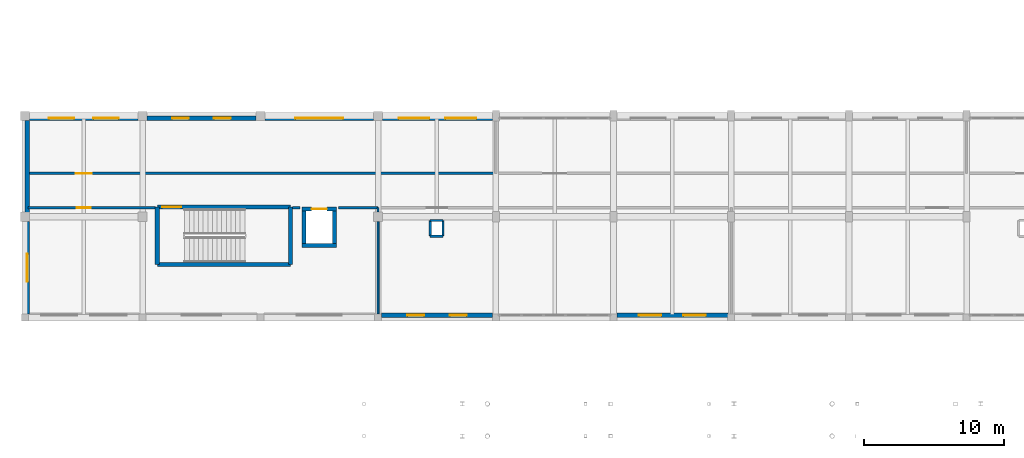
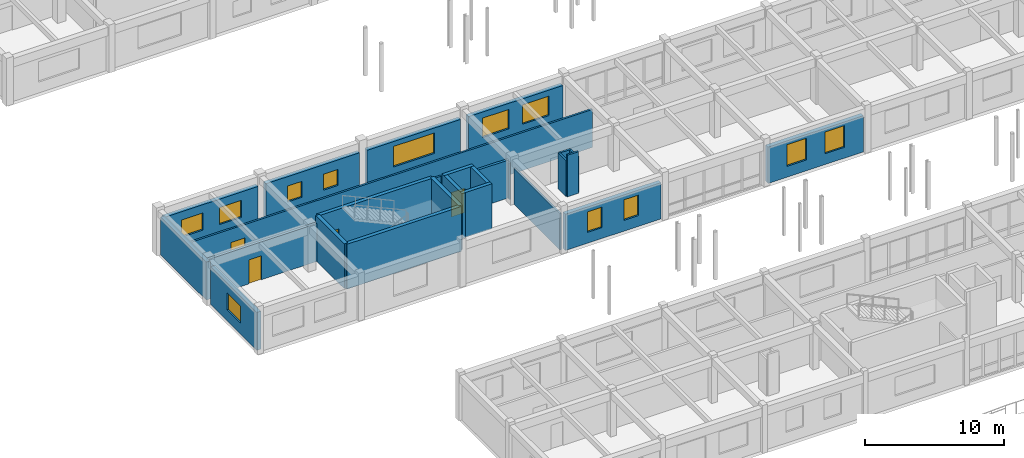
# One storey, part 72 of 90: 26 walls, 12 windows, 4 doors, 16 openings.
"""IFC4 building model written with IfcOpenShell, lengths in metres."""

from ifc_helpers import new_model, si_unit, direction, frame, frame_2d, origin, place, context, subcontext, project, spatial, rectangle, extrude, material, layer, layer_set, type_object, element, fill, save


model = new_model("IFC4")

# Units and contexts
model_context = context("Model", 3, precision=1e-05, world=origin(), true_north=direction((0.0, 1.0)))
body_context = subcontext(model_context, "Body", "Model", "MODEL_VIEW")
ifc_project = project(units=[si_unit("LENGTHUNIT", "METRE"), si_unit("AREAUNIT", "SQUARE_METRE"), si_unit("VOLUMEUNIT", "CUBIC_METRE"), si_unit("PLANEANGLEUNIT", "RADIAN"), si_unit("MASSUNIT", "GRAM", prefix="KILO")], contexts=[model_context])

# Site, building, storey
site_placement = place(None, origin())
site = spatial("IfcSite", under=ifc_project, at=site_placement, CompositionType="ELEMENT")
building_placement = place(site_placement, origin())
building = spatial("IfcBuilding", under=site, at=building_placement, Name="Malvenik Polytechnic", CompositionType="ELEMENT")
storey_placement = place(building_placement, frame((0.0, 0.0, 9.300048828125)))
storey = spatial("IfcBuildingStorey", under=building, at=storey_placement, Name="L02", CompositionType="ELEMENT", Elevation=9.300048828125)

# Wall
ifc_material_1 = material(Name="Concrete C35/45", Category="concrete")
ifc_layer_1 = layer(ifc_material_1, 0.280029296875)
ifc_layer_set_1 = layer_set([ifc_layer_1], Name="Concrete C35/45")
wall_type_1 = type_object("IfcWallType", Name="ARC-CW-S280", PredefinedType="SHEAR", material=ifc_layer_set_1)
wall_1_placement = place(storey_placement, frame((22.239990234375, 84.35009765625, 0.0), z_axis=(0.0, 0.0, 1.0), x_axis=(-1.0, 0.0, 0.0)))
element("IfcWall", 1, at=wall_1_placement, inside=storey, type_object=wall_type_1, Name="Lift Shaft Shear Wall LP-01 L02 -Y", PredefinedType="SHEAR", context=body_context, shape_type="SweptSolid", body=[
    extrude(rectangle(XDim=2.47998046875, YDim=0.280029296875, at=frame_2d((1.239990234375, 0.0))), origin(), (0.0, 0.0, 1.0), 3.93994140625),
])

# Wall, opening, door
wall_2_placement = place(storey_placement, frame((19.760009765625, 86.949951171875, 0.0), z_axis=(0.0, 0.0, 1.0), x_axis=(1.0, 0.0, 0.0)))
wall_2 = element("IfcWall", 2, at=wall_2_placement, inside=storey, type_object=wall_type_1, Name="Lift Shaft Shear Wall LP-01 L02 +Y", PredefinedType="SHEAR", context=body_context, shape_type="SweptSolid", body=[
    extrude(rectangle(XDim=2.47998046875, YDim=0.280029296875, at=frame_2d((1.239990234375, 0.0))), origin(), (0.0, 0.0, 1.0), 3.93994140625),
])
opening_1_placement = place(wall_2_placement, frame((0.68994140625, 0.0, 0.0)))
opening_1 = element("IfcOpeningElement", 3, at=opening_1_placement, cuts=wall_2, Name="Opening LD-01", PredefinedType="OPENING", context=body_context, shape_type="SweptSolid", body=[
    extrude(rectangle(XDim=1.10009765625, YDim=2.14990234375, at=frame_2d((0.550048828125, 1.074951171875))), frame((0.0, 0.14990234375, 0.0), z_axis=(0.0, -1.0, 0.0), x_axis=(1.0, 0.0, 0.0)), (0.0, 0.0, 1.0), 0.300048828125),
])
ifc_material_2 = material(Name="Stainless steel fire-rated sliding lift landing door", Category="steel")
door_type_1 = type_object("IfcDoorType", Name="ARC-LDR-LD-01", OperationType="NOTDEFINED", PredefinedType="DOOR", material=ifc_material_2)
door_1_placement = place(opening_1_placement, origin())
door_1 = element("IfcDoor", 4, at=door_1_placement, inside=storey, type_object=door_type_1, Name="Lift Sliding Landing Door LP-01 L02", OperationType="DOUBLE_DOOR_SLIDING", OverallHeight=2.14990234375, OverallWidth=1.10009765625, PredefinedType="DOOR", context=body_context, shape_type="SweptSolid", body=[
    extrude(rectangle(XDim=1.10009765625, YDim=2.14990234375, at=frame_2d((0.550048828125, 1.074951171875))), frame((0.0, 0.02490234375, 0.0), z_axis=(0.0, -1.0, 0.0), x_axis=(1.0, 0.0, 0.0)), (0.0, 0.0, 1.0), 0.050048828125),
])
fill(opening_1, door_1)

# Walls
for number, where, z_axis, x_axis, name in (
    (5, (19.89990234375, 84.2099609375, 0.0), (0.0, 0.0, 1.0), (0.0, 1.0, 0.0), "Lift Shaft Shear Wall LP-01 L02 -X"),
    (6, (22.10009765625, 87.090087890625, 0.0), (0.0, 0.0, 1.0), (0.0, -1.0, 0.0), "Lift Shaft Shear Wall LP-01 L02 +X"),
):
    element("IfcWall", number, at=place(storey_placement, frame(where, z_axis=z_axis, x_axis=x_axis)), inside=storey, type_object=wall_type_1, Name=name, PredefinedType="SHEAR", context=body_context, shape_type="SweptSolid", body=[
        extrude(rectangle(XDim=2.880126953125, YDim=0.280029296875, at=frame_2d((1.43994140625, 0.0))), origin(), (0.0, 0.0, 1.0), 3.93994140625),
    ])
ifc_layer_2 = layer(ifc_material_1, 0.300048828125)
ifc_layer_set_2 = layer_set([ifc_layer_2], Name="Concrete C35/45")
wall_type_2 = type_object("IfcWallType", Name="ARC-CW-S300", PredefinedType="SHEAR", material=ifc_layer_set_2)
wall_3_placement = place(storey_placement, frame((9.449951171875, 83.0, 0.0), z_axis=(0.0, 0.0, 1.0), x_axis=(0.0, 1.0, 0.0)))
element("IfcWall", 7, at=wall_3_placement, inside=storey, type_object=wall_type_2, Name="Stair Core Shear Wall ST-04 L02 NEAR", PredefinedType="SHEAR", context=body_context, shape_type="SweptSolid", body=[
    extrude(rectangle(XDim=4.10009765625, YDim=0.300048828125, at=frame_2d((2.050048828125, 0.0))), origin(), (0.0, 0.0, 1.0), 3.93994140625),
])

# Wall, opening, door
wall_4_placement = place(storey_placement, frame((9.449951171875, 87.10009765625, 0.0), z_axis=(0.0, 0.0, 1.0), x_axis=(1.0, 0.0, 0.0)))
wall_4 = element("IfcWall", 8, at=wall_4_placement, inside=storey, type_object=wall_type_2, Name="Stair Core Shear Wall ST-04 L02 RGHT", PredefinedType="SHEAR", context=body_context, shape_type="SweptSolid", body=[
    extrude(rectangle(XDim=9.5, YDim=0.300048828125, at=frame_2d((4.75, 0.0))), origin(), (0.0, 0.0, 1.0), 3.93994140625),
])
opening_2_placement = place(wall_4_placement, frame((0.35009765625, 0.0, 0.0)))
opening_2 = element("IfcOpeningElement", 9, at=opening_2_placement, cuts=wall_4, Name="Opening SD-01", PredefinedType="OPENING", context=body_context, shape_type="SweptSolid", body=[
    extrude(rectangle(XDim=1.35009765625, YDim=2.199951171875, at=frame_2d((0.675048828125, 1.10009765625))), frame((0.0, 0.16015625, 0.0), z_axis=(0.0, -1.0, 0.0), x_axis=(1.0, 0.0, 0.0)), (0.0, 0.0, 1.0), 0.320068359375),
])
ifc_material_3 = material(Name="Fire-rated steel stair enclosure door", Category="steel")
door_type_2 = type_object("IfcDoorType", Name="ARC-IDR-SD-01", OperationType="NOTDEFINED", PredefinedType="DOOR", material=ifc_material_3)
door_2_placement = place(opening_2_placement, origin())
door_2 = element("IfcDoor", 10, at=door_2_placement, inside=storey, type_object=door_type_2, Name="Fire Stair Door ST-04 L02", OperationType="SINGLE_SWING_LEFT", OverallHeight=2.199951171875, OverallWidth=1.35009765625, PredefinedType="DOOR", context=body_context, shape_type="SweptSolid", body=[
    extrude(rectangle(XDim=1.35009765625, YDim=2.199951171875, at=frame_2d((0.675048828125, 1.10009765625))), frame((0.0, 0.02490234375, 0.0), z_axis=(0.0, -1.0, 0.0), x_axis=(1.0, 0.0, 0.0)), (0.0, 0.0, 1.0), 0.050048828125),
])
fill(opening_2, door_2)

# Walls
wall_5_placement = place(storey_placement, frame((18.949951171875, 87.10009765625, 0.0), z_axis=(0.0, 0.0, 1.0), x_axis=(0.0, -1.0, 0.0)))
element("IfcWall", 11, at=wall_5_placement, inside=storey, type_object=wall_type_2, Name="Stair Core Shear Wall ST-04 L02 FAR", PredefinedType="SHEAR", context=body_context, shape_type="SweptSolid", body=[
    extrude(rectangle(XDim=4.10009765625, YDim=0.300048828125, at=frame_2d((2.050048828125, 0.0))), origin(), (0.0, 0.0, 1.0), 3.93994140625),
])
wall_6_placement = place(storey_placement, frame((18.949951171875, 83.0, 0.0), z_axis=(0.0, 0.0, 1.0), x_axis=(-1.0, 0.0, 0.0)))
element("IfcWall", 12, at=wall_6_placement, inside=storey, type_object=wall_type_2, Name="Stair Core Shear Wall ST-04 L02 LEFT", PredefinedType="SHEAR", context=body_context, shape_type="SweptSolid", body=[
    extrude(rectangle(XDim=9.5, YDim=0.300048828125, at=frame_2d((4.75, 0.0))), origin(), (0.0, 0.0, 1.0), 3.93994140625),
])

# Wall, openings, windows
ifc_material_4 = material(Name="Concrete C30/37", Category="concrete")
ifc_layer_3 = layer(ifc_material_4, 0.340087890625)
ifc_layer_set_3 = layer_set([ifc_layer_3], Name="Concrete C30/37")
wall_type_3 = type_object("IfcWallType", Name="ARC-EW-340", PredefinedType="SOLIDWALL", material=ifc_layer_set_3)
wall_7_placement = place(storey_placement, frame((50.152099609375, 79.3701171875, 0.0), z_axis=(0.0, 0.0, 1.0), x_axis=(-1.0, 0.0, 0.0)))
wall_7 = element("IfcWall", 13, at=wall_7_placement, inside=storey, type_object=wall_type_3, Name="External Facade Wall EW-02 L02 #303", PredefinedType="SOLIDWALL", context=body_context, shape_type="SweptSolid", body=[
    extrude(rectangle(XDim=7.904052734375, YDim=0.340087890625, at=frame_2d((3.9521484375, 0.0))), origin(), (0.0, 0.0, 1.0), 3.179931640625),
])
opening_3_placement = place(wall_7_placement, frame((1.568115234375, 0.0, 0.949951171875)))
opening_3 = element("IfcOpeningElement", 14, at=opening_3_placement, cuts=wall_7, Name="Opening W-05", PredefinedType="OPENING", context=body_context, shape_type="SweptSolid", body=[
    extrude(rectangle(XDim=1.60009765625, YDim=1.89990234375, at=frame_2d((0.800048828125, 0.949951171875))), frame((0.0, 0.18017578125, 0.0), z_axis=(0.0, -1.0, 0.0), x_axis=(1.0, 0.0, 0.0)), (0.0, 0.0, 1.0), 0.360107421875),
])
opening_4_placement = place(wall_7_placement, frame((4.736083984375, 0.0, 0.949951171875)))
opening_4 = element("IfcOpeningElement", 15, at=opening_4_placement, cuts=wall_7, Name="Opening W-05", PredefinedType="OPENING", context=body_context, shape_type="SweptSolid", body=[
    extrude(rectangle(XDim=1.60009765625, YDim=1.89990234375, at=frame_2d((0.800048828125, 0.949951171875))), frame((0.0, 0.18017578125, 0.0), z_axis=(0.0, -1.0, 0.0), x_axis=(1.0, 0.0, 0.0)), (0.0, 0.0, 1.0), 0.360107421875),
])
ifc_material_5 = material(Name="Thermally broken aluminium frame with low-E double glazing", Category="aluminium")
window_type_1 = type_object("IfcWindowType", Name="ARC-WIN-W-05", PartitioningType="SINGLE_PANEL", PredefinedType="WINDOW", material=ifc_material_5)
window_1_placement = place(opening_3_placement, origin())
window_1 = element("IfcWindow", 16, at=window_1_placement, inside=storey, type_object=window_type_1, Name="Punched Window W-05 L02 #277", OverallHeight=1.89990234375, OverallWidth=1.60009765625, PartitioningType="SINGLE_PANEL", PredefinedType="WINDOW", context=body_context, shape_type="SweptSolid", body=[
    extrude(rectangle(XDim=1.60009765625, YDim=1.89990234375, at=frame_2d((0.800048828125, 0.949951171875))), frame((0.0, 0.030029296875, 0.0), z_axis=(0.0, -1.0, 0.0), x_axis=(1.0, 0.0, 0.0)), (0.0, 0.0, 1.0), 0.06005859375),
])
fill(opening_3, window_1)
window_2_placement = place(opening_4_placement, origin())
window_2 = element("IfcWindow", 17, at=window_2_placement, inside=storey, type_object=window_type_1, Name="Punched Window W-05 L02 #278", OverallHeight=1.89990234375, OverallWidth=1.60009765625, PartitioningType="SINGLE_PANEL", PredefinedType="WINDOW", context=body_context, shape_type="SweptSolid", body=[
    extrude(rectangle(XDim=1.60009765625, YDim=1.89990234375, at=frame_2d((0.800048828125, 0.949951171875))), frame((0.0, 0.030029296875, 0.0), z_axis=(0.0, -1.0, 0.0), x_axis=(1.0, 0.0, 0.0)), (0.0, 0.0, 1.0), 0.06005859375),
])
fill(opening_4, window_2)

wall_8_placement = place(storey_placement, frame((33.35205078125, 79.3701171875, 0.0), z_axis=(0.0, 0.0, 1.0), x_axis=(-1.0, 0.0, 0.0)))
wall_8 = element("IfcWall", 18, at=wall_8_placement, inside=storey, type_object=wall_type_3, Name="External Facade Wall EW-02 L02 #304", PredefinedType="SOLIDWALL", context=body_context, shape_type="SweptSolid", body=[
    extrude(rectangle(XDim=7.904052734375, YDim=0.340087890625, at=frame_2d((3.9521484375, 0.0))), origin(), (0.0, 0.0, 1.0), 3.179931640625),
])
opening_5_placement = place(wall_8_placement, frame((1.834716796875, 0.0, 0.949951171875)))
opening_5 = element("IfcOpeningElement", 19, at=opening_5_placement, cuts=wall_8, Name="Opening W-07", PredefinedType="OPENING", context=body_context, shape_type="SweptSolid", body=[
    extrude(rectangle(XDim=1.199951171875, YDim=1.800048828125, at=frame_2d((0.60009765625, 0.89990234375))), frame((0.0, 0.18017578125, 0.0), z_axis=(0.0, -1.0, 0.0), x_axis=(1.0, 0.0, 0.0)), (0.0, 0.0, 1.0), 0.360107421875),
])
opening_6_placement = place(wall_8_placement, frame((4.869384765625, 0.0, 0.949951171875)))
opening_6 = element("IfcOpeningElement", 20, at=opening_6_placement, cuts=wall_8, Name="Opening W-07", PredefinedType="OPENING", context=body_context, shape_type="SweptSolid", body=[
    extrude(rectangle(XDim=1.199951171875, YDim=1.800048828125, at=frame_2d((0.60009765625, 0.89990234375))), frame((0.0, 0.18017578125, 0.0), z_axis=(0.0, -1.0, 0.0), x_axis=(1.0, 0.0, 0.0)), (0.0, 0.0, 1.0), 0.360107421875),
])
window_type_2 = type_object("IfcWindowType", Name="ARC-WIN-W-07", PartitioningType="SINGLE_PANEL", PredefinedType="WINDOW", material=ifc_material_5)
window_3_placement = place(opening_5_placement, origin())
window_3 = element("IfcWindow", 21, at=window_3_placement, inside=storey, type_object=window_type_2, Name="Punched Window W-07 L02 #279", OverallHeight=1.800048828125, OverallWidth=1.199951171875, PartitioningType="SINGLE_PANEL", PredefinedType="WINDOW", context=body_context, shape_type="SweptSolid", body=[
    extrude(rectangle(XDim=1.199951171875, YDim=1.800048828125, at=frame_2d((0.60009765625, 0.89990234375))), frame((0.0, 0.030029296875, 0.0), z_axis=(0.0, -1.0, 0.0), x_axis=(1.0, 0.0, 0.0)), (0.0, 0.0, 1.0), 0.06005859375),
])
fill(opening_5, window_3)
window_4_placement = place(opening_6_placement, origin())
window_4 = element("IfcWindow", 22, at=window_4_placement, inside=storey, type_object=window_type_2, Name="Punched Window W-07 L02 #280", OverallHeight=1.800048828125, OverallWidth=1.199951171875, PartitioningType="SINGLE_PANEL", PredefinedType="WINDOW", context=body_context, shape_type="SweptSolid", body=[
    extrude(rectangle(XDim=1.199951171875, YDim=1.800048828125, at=frame_2d((0.60009765625, 0.89990234375))), frame((0.0, 0.030029296875, 0.0), z_axis=(0.0, -1.0, 0.0), x_axis=(1.0, 0.0, 0.0)), (0.0, 0.0, 1.0), 0.06005859375),
])
fill(opening_6, window_4)

# Wall, opening, window
wall_9_placement = place(storey_placement, frame((0.169921875, 79.447998046875, 0.0), z_axis=(0.0, 0.0, 1.0), x_axis=(0.0, 1.0, 0.0)))
wall_9 = element("IfcWall", 23, at=wall_9_placement, inside=storey, type_object=wall_type_3, Name="External Facade Wall EW-02 L02 #308", PredefinedType="SOLIDWALL", context=body_context, shape_type="SweptSolid", body=[
    extrude(rectangle(XDim=6.62890625, YDim=0.340087890625, at=frame_2d((3.314453125, 0.0))), origin(), (0.0, 0.0, 1.0), 3.329833984375),
])
opening_7_placement = place(wall_9_placement, frame((2.314453125, 0.0, 0.949951171875)))
opening_7 = element("IfcOpeningElement", 24, at=opening_7_placement, cuts=wall_9, Name="Opening W-13", PredefinedType="OPENING", context=body_context, shape_type="SweptSolid", body=[
    extrude(rectangle(XDim=2.0, YDim=1.5, at=frame_2d((1.0, 0.75))), frame((0.0, 0.18017578125, 0.0), z_axis=(0.0, -1.0, 0.0), x_axis=(1.0, 0.0, 0.0)), (0.0, 0.0, 1.0), 0.360107421875),
])
window_type_3 = type_object("IfcWindowType", Name="ARC-WIN-W-13", PartitioningType="SINGLE_PANEL", PredefinedType="WINDOW", material=ifc_material_5)
window_5_placement = place(opening_7_placement, origin())
window_5 = element("IfcWindow", 25, at=window_5_placement, inside=storey, type_object=window_type_3, Name="Punched Window W-13 L02 #285", OverallHeight=1.5, OverallWidth=2.0, PartitioningType="SINGLE_PANEL", PredefinedType="WINDOW", context=body_context, shape_type="SweptSolid", body=[
    extrude(rectangle(XDim=2.0, YDim=1.5, at=frame_2d((1.0, 0.75))), frame((0.0, 0.030029296875, 0.0), z_axis=(0.0, -1.0, 0.0), x_axis=(1.0, 0.0, 0.0)), (0.0, 0.0, 1.0), 0.06005859375),
])
fill(opening_7, window_5)

# Wall
wall_10_placement = place(storey_placement, frame((0.169921875, 86.722900390625, 0.0), z_axis=(0.0, 0.0, 1.0), x_axis=(0.0, 1.0, 0.0)))
element("IfcWall", 26, at=wall_10_placement, inside=storey, type_object=wall_type_3, Name="External Facade Wall EW-02 L02 #309", PredefinedType="SOLIDWALL", context=body_context, shape_type="SweptSolid", body=[
    extrude(rectangle(XDim=6.55419921875, YDim=0.340087890625, at=frame_2d((3.277099609375, 0.0))), origin(), (0.0, 0.0, 1.0), 3.329833984375),
])

# Wall, openings, windows
wall_11_placement = place(storey_placement, frame((0.322998046875, 93.429931640625, 0.0), z_axis=(0.0, 0.0, 1.0), x_axis=(1.0, 0.0, 0.0)))
wall_11 = element("IfcWall", 27, at=wall_11_placement, inside=storey, type_object=wall_type_3, Name="External Facade Wall EW-02 L02 #310", PredefinedType="SOLIDWALL", context=body_context, shape_type="SweptSolid", body=[
    extrude(rectangle(XDim=7.75390625, YDim=0.340087890625, at=frame_2d((3.876953125, 0.0))), origin(), (0.0, 0.0, 1.0), 3.179931640625),
])
opening_8_placement = place(wall_11_placement, frame((1.384765625, 0.0, 0.949951171875)))
opening_8 = element("IfcOpeningElement", 28, at=opening_8_placement, cuts=wall_11, Name="Opening W-14", PredefinedType="OPENING", context=body_context, shape_type="SweptSolid", body=[
    extrude(rectangle(XDim=1.800048828125, YDim=1.5, at=frame_2d((0.89990234375, 0.75))), frame((0.0, 0.18017578125, 0.0), z_axis=(0.0, -1.0, 0.0), x_axis=(1.0, 0.0, 0.0)), (0.0, 0.0, 1.0), 0.360107421875),
])
opening_9_placement = place(wall_11_placement, frame((4.5693359375, 0.0, 0.949951171875)))
opening_9 = element("IfcOpeningElement", 29, at=opening_9_placement, cuts=wall_11, Name="Opening W-14", PredefinedType="OPENING", context=body_context, shape_type="SweptSolid", body=[
    extrude(rectangle(XDim=1.800048828125, YDim=1.5, at=frame_2d((0.89990234375, 0.75))), frame((0.0, 0.18017578125, 0.0), z_axis=(0.0, -1.0, 0.0), x_axis=(1.0, 0.0, 0.0)), (0.0, 0.0, 1.0), 0.360107421875),
])
window_type_4 = type_object("IfcWindowType", Name="ARC-WIN-W-14", PartitioningType="SINGLE_PANEL", PredefinedType="WINDOW", material=ifc_material_5)
window_6_placement = place(opening_8_placement, origin())
window_6 = element("IfcWindow", 30, at=window_6_placement, inside=storey, type_object=window_type_4, Name="Punched Window W-14 L02 #286", OverallHeight=1.5, OverallWidth=1.800048828125, PartitioningType="SINGLE_PANEL", PredefinedType="WINDOW", context=body_context, shape_type="SweptSolid", body=[
    extrude(rectangle(XDim=1.800048828125, YDim=1.5, at=frame_2d((0.89990234375, 0.75))), frame((0.0, 0.030029296875, 0.0), z_axis=(0.0, -1.0, 0.0), x_axis=(1.0, 0.0, 0.0)), (0.0, 0.0, 1.0), 0.06005859375),
])
fill(opening_8, window_6)
window_7_placement = place(opening_9_placement, origin())
window_7 = element("IfcWindow", 31, at=window_7_placement, inside=storey, type_object=window_type_4, Name="Punched Window W-14 L02 #287", OverallHeight=1.5, OverallWidth=1.800048828125, PartitioningType="SINGLE_PANEL", PredefinedType="WINDOW", context=body_context, shape_type="SweptSolid", body=[
    extrude(rectangle(XDim=1.800048828125, YDim=1.5, at=frame_2d((0.89990234375, 0.75))), frame((0.0, 0.030029296875, 0.0), z_axis=(0.0, -1.0, 0.0), x_axis=(1.0, 0.0, 0.0)), (0.0, 0.0, 1.0), 0.06005859375),
])
fill(opening_9, window_7)

wall_12_placement = place(storey_placement, frame((8.722900390625, 93.429931640625, 0.0), z_axis=(0.0, 0.0, 1.0), x_axis=(1.0, 0.0, 0.0)))
wall_12 = element("IfcWall", 32, at=wall_12_placement, inside=storey, type_object=wall_type_3, Name="External Facade Wall EW-02 L02 #311", PredefinedType="SOLIDWALL", context=body_context, shape_type="SweptSolid", body=[
    extrude(rectangle(XDim=7.754150390625, YDim=0.340087890625, at=frame_2d((3.876953125, 0.0))), origin(), (0.0, 0.0, 1.0), 3.179931640625),
])
opening_10_placement = place(wall_12_placement, frame((1.78466796875, 0.0, 0.949951171875)))
opening_10 = element("IfcOpeningElement", 33, at=opening_10_placement, cuts=wall_12, Name="Opening W-16", PredefinedType="OPENING", context=body_context, shape_type="SweptSolid", body=[
    extrude(rectangle(XDim=1.199951171875, YDim=1.39990234375, at=frame_2d((0.60009765625, 0.699951171875))), frame((0.0, 0.18017578125, 0.0), z_axis=(0.0, -1.0, 0.0), x_axis=(1.0, 0.0, 0.0)), (0.0, 0.0, 1.0), 0.360107421875),
])
opening_11_placement = place(wall_12_placement, frame((4.769287109375, 0.0, 0.949951171875)))
opening_11 = element("IfcOpeningElement", 34, at=opening_11_placement, cuts=wall_12, Name="Opening W-16", PredefinedType="OPENING", context=body_context, shape_type="SweptSolid", body=[
    extrude(rectangle(XDim=1.199951171875, YDim=1.39990234375, at=frame_2d((0.60009765625, 0.699951171875))), frame((0.0, 0.18017578125, 0.0), z_axis=(0.0, -1.0, 0.0), x_axis=(1.0, 0.0, 0.0)), (0.0, 0.0, 1.0), 0.360107421875),
])
window_type_5 = type_object("IfcWindowType", Name="ARC-WIN-W-16", PartitioningType="SINGLE_PANEL", PredefinedType="WINDOW", material=ifc_material_5)
window_8_placement = place(opening_10_placement, origin())
window_8 = element("IfcWindow", 35, at=window_8_placement, inside=storey, type_object=window_type_5, Name="Punched Window W-16 L02 #288", OverallHeight=1.39990234375, OverallWidth=1.199951171875, PartitioningType="SINGLE_PANEL", PredefinedType="WINDOW", context=body_context, shape_type="SweptSolid", body=[
    extrude(rectangle(XDim=1.199951171875, YDim=1.39990234375, at=frame_2d((0.60009765625, 0.699951171875))), frame((0.0, 0.030029296875, 0.0), z_axis=(0.0, -1.0, 0.0), x_axis=(1.0, 0.0, 0.0)), (0.0, 0.0, 1.0), 0.06005859375),
])
fill(opening_10, window_8)
window_9_placement = place(opening_11_placement, origin())
window_9 = element("IfcWindow", 36, at=window_9_placement, inside=storey, type_object=window_type_5, Name="Punched Window W-16 L02 #289", OverallHeight=1.39990234375, OverallWidth=1.199951171875, PartitioningType="SINGLE_PANEL", PredefinedType="WINDOW", context=body_context, shape_type="SweptSolid", body=[
    extrude(rectangle(XDim=1.199951171875, YDim=1.39990234375, at=frame_2d((0.60009765625, 0.699951171875))), frame((0.0, 0.030029296875, 0.0), z_axis=(0.0, -1.0, 0.0), x_axis=(1.0, 0.0, 0.0)), (0.0, 0.0, 1.0), 0.06005859375),
])
fill(opening_11, window_9)

# Wall, opening, window
wall_13_placement = place(storey_placement, frame((17.123046875, 93.429931640625, 0.0), z_axis=(0.0, 0.0, 1.0), x_axis=(1.0, 0.0, 0.0)))
wall_13 = element("IfcWall", 37, at=wall_13_placement, inside=storey, type_object=wall_type_3, Name="External Facade Wall EW-02 L02 #312", PredefinedType="SOLIDWALL", context=body_context, shape_type="SweptSolid", body=[
    extrude(rectangle(XDim=7.75390625, YDim=0.340087890625, at=frame_2d((3.876953125, 0.0))), origin(), (0.0, 0.0, 1.0), 3.179931640625),
])
opening_12_placement = place(wall_13_placement, frame((2.177001953125, 0.0, 0.949951171875)))
opening_12 = element("IfcOpeningElement", 38, at=opening_12_placement, cuts=wall_13, Name="Opening W-18", PredefinedType="OPENING", context=body_context, shape_type="SweptSolid", body=[
    extrude(rectangle(XDim=3.39990234375, YDim=1.800048828125, at=frame_2d((1.699951171875, 0.89990234375))), frame((0.0, 0.18017578125, 0.0), z_axis=(0.0, -1.0, 0.0), x_axis=(1.0, 0.0, 0.0)), (0.0, 0.0, 1.0), 0.360107421875),
])
window_type_6 = type_object("IfcWindowType", Name="ARC-WIN-W-18", PartitioningType="SINGLE_PANEL", PredefinedType="WINDOW", material=ifc_material_5)
window_10_placement = place(opening_12_placement, origin())
window_10 = element("IfcWindow", 39, at=window_10_placement, inside=storey, type_object=window_type_6, Name="Punched Window W-18 L02 #290", OverallHeight=1.800048828125, OverallWidth=3.39990234375, PartitioningType="SINGLE_PANEL", PredefinedType="WINDOW", context=body_context, shape_type="SweptSolid", body=[
    extrude(rectangle(XDim=3.39990234375, YDim=1.800048828125, at=frame_2d((1.699951171875, 0.89990234375))), frame((0.0, 0.030029296875, 0.0), z_axis=(0.0, -1.0, 0.0), x_axis=(1.0, 0.0, 0.0)), (0.0, 0.0, 1.0), 0.06005859375),
])
fill(opening_12, window_10)

# Wall, openings, windows
wall_14_placement = place(storey_placement, frame((25.52294921875, 93.429931640625, 0.0), z_axis=(0.0, 0.0, 1.0), x_axis=(1.0, 0.0, 0.0)))
wall_14 = element("IfcWall", 40, at=wall_14_placement, inside=storey, type_object=wall_type_3, Name="External Facade Wall EW-02 L02 #313", PredefinedType="SOLIDWALL", context=body_context, shape_type="SweptSolid", body=[
    extrude(rectangle(XDim=7.8291015625, YDim=0.340087890625, at=frame_2d((3.91455078125, 0.0))), origin(), (0.0, 0.0, 1.0), 3.179931640625),
])
opening_13_placement = place(wall_14_placement, frame((1.14306640625, 0.0, 0.949951171875)))
opening_13 = element("IfcOpeningElement", 41, at=opening_13_placement, cuts=wall_14, Name="Opening W-19", PredefinedType="OPENING", context=body_context, shape_type="SweptSolid", body=[
    extrude(rectangle(XDim=2.199951171875, YDim=1.699951171875, at=frame_2d((1.10009765625, 0.85009765625))), frame((0.0, 0.18017578125, 0.0), z_axis=(0.0, -1.0, 0.0), x_axis=(1.0, 0.0, 0.0)), (0.0, 0.0, 1.0), 0.360107421875),
])
opening_14_placement = place(wall_14_placement, frame((4.486083984375, 0.0, 0.949951171875)))
opening_14 = element("IfcOpeningElement", 42, at=opening_14_placement, cuts=wall_14, Name="Opening W-19", PredefinedType="OPENING", context=body_context, shape_type="SweptSolid", body=[
    extrude(rectangle(XDim=2.199951171875, YDim=1.699951171875, at=frame_2d((1.10009765625, 0.85009765625))), frame((0.0, 0.18017578125, 0.0), z_axis=(0.0, -1.0, 0.0), x_axis=(1.0, 0.0, 0.0)), (0.0, 0.0, 1.0), 0.360107421875),
])
window_type_7 = type_object("IfcWindowType", Name="ARC-WIN-W-19", PartitioningType="SINGLE_PANEL", PredefinedType="WINDOW", material=ifc_material_5)
window_11_placement = place(opening_13_placement, origin())
window_11 = element("IfcWindow", 43, at=window_11_placement, inside=storey, type_object=window_type_7, Name="Punched Window W-19 L02 #291", OverallHeight=1.699951171875, OverallWidth=2.199951171875, PartitioningType="SINGLE_PANEL", PredefinedType="WINDOW", context=body_context, shape_type="SweptSolid", body=[
    extrude(rectangle(XDim=2.199951171875, YDim=1.699951171875, at=frame_2d((1.10009765625, 0.85009765625))), frame((0.0, 0.030029296875, 0.0), z_axis=(0.0, -1.0, 0.0), x_axis=(1.0, 0.0, 0.0)), (0.0, 0.0, 1.0), 0.06005859375),
])
fill(opening_13, window_11)
window_12_placement = place(opening_14_placement, origin())
window_12 = element("IfcWindow", 44, at=window_12_placement, inside=storey, type_object=window_type_7, Name="Punched Window W-19 L02 #292", OverallHeight=1.699951171875, OverallWidth=2.199951171875, PartitioningType="SINGLE_PANEL", PredefinedType="WINDOW", context=body_context, shape_type="SweptSolid", body=[
    extrude(rectangle(XDim=2.199951171875, YDim=1.699951171875, at=frame_2d((1.10009765625, 0.85009765625))), frame((0.0, 0.030029296875, 0.0), z_axis=(0.0, -1.0, 0.0), x_axis=(1.0, 0.0, 0.0)), (0.0, 0.0, 1.0), 0.06005859375),
])
fill(opening_14, window_12)

# Wall
ifc_material_6 = material(Name="Calcium silicate fire-rated blockwork 200mm", Category="masonry")
ifc_layer_4 = layer(ifc_material_6, 0.199951171875)
ifc_layer_set_4 = layer_set([ifc_layer_4], Name="Calcium silicate fire-rated blockwork 200mm")
wall_type_4 = type_object("IfcWallType", Name="ARC-FW-200", PredefinedType="SOLIDWALL", material=ifc_layer_set_4)
wall_15_placement = place(storey_placement, frame((25.199951171875, 87.050048828125, 0.0), z_axis=(0.0, 0.0, 1.0), x_axis=(-1.0, 0.0, 0.0)))
element("IfcWall", 45, at=wall_15_placement, inside=storey, type_object=wall_type_4, Name="Interior Partition FW-02 L02 #270", PredefinedType="SOLIDWALL", context=body_context, shape_type="SweptSolid", body=[
    extrude(rectangle(XDim=2.829833984375, YDim=0.199951171875, at=frame_2d((1.4150390625, 0.0))), origin(), (0.0, 0.0, 1.0), 3.324951171875),
])

# Wall, opening, door
wall_16_placement = place(storey_placement, frame((9.31005859375, 87.050048828125, 0.0), z_axis=(0.0, 0.0, 1.0), x_axis=(-1.0, 0.0, 0.0)))
wall_16 = element("IfcWall", 46, at=wall_16_placement, inside=storey, type_object=wall_type_4, Name="Interior Partition FW-02 L02 #272", PredefinedType="SOLIDWALL", context=body_context, shape_type="SweptSolid", body=[
    extrude(rectangle(XDim=9.090087890625, YDim=0.199951171875, at=frame_2d((4.544921875, 0.0))), origin(), (0.0, 0.0, 1.0), 3.324951171875),
])
opening_15_placement = place(wall_16_placement, frame((4.610107421875, 0.0, 0.0)))
opening_15 = element("IfcOpeningElement", 47, at=opening_15_placement, cuts=wall_16, Name="Opening FD-07", PredefinedType="OPENING", context=body_context, shape_type="SweptSolid", body=[
    extrude(rectangle(XDim=1.0, YDim=2.10009765625, at=frame_2d((0.5, 1.050048828125))), frame((0.0, 0.10986328125, 0.0), z_axis=(0.0, -1.0, 0.0), x_axis=(1.0, 0.0, 0.0)), (0.0, 0.0, 1.0), 0.219970703125),
])
ifc_material_7 = material(Name="Fire-rated washroom corridor door", Category="steel")
door_type_3 = type_object("IfcDoorType", Name="ARC-IDR-FD-07", OperationType="NOTDEFINED", PredefinedType="DOOR", material=ifc_material_7)
door_3_placement = place(opening_15_placement, origin())
door_3 = element("IfcDoor", 48, at=door_3_placement, inside=storey, type_object=door_type_3, Name="Interior Door FD-07 L02 #116", OperationType="SINGLE_SWING_LEFT", OverallHeight=2.10009765625, OverallWidth=1.0, PredefinedType="DOOR", context=body_context, shape_type="SweptSolid", body=[
    extrude(rectangle(XDim=1.0, YDim=2.10009765625, at=frame_2d((0.5, 1.050048828125))), frame((0.0, 0.02490234375, 0.0), z_axis=(0.0, -1.0, 0.0), x_axis=(1.0, 0.0, 0.0)), (0.0, 0.0, 1.0), 0.050048828125),
])
fill(opening_15, door_3)

# Walls
ifc_material_8 = material(Name="Metal-stud gypsum board partition 125mm", Category="gypsum")
ifc_layer_5 = layer(ifc_material_8, 0.125)
ifc_layer_set_5 = layer_set([ifc_layer_5], Name="Metal-stud gypsum board partition 125mm")
wall_type_5 = type_object("IfcWallType", Name="ARC-PW-125", PredefinedType="PARTITIONING", material=ifc_layer_set_5)
wall_17_placement = place(storey_placement, frame((25.199951171875, 86.7451171875, 0.0), z_axis=(0.0, 0.0, 1.0), x_axis=(0.0, 1.0, 0.0)))
element("IfcWall", 49, at=wall_17_placement, inside=storey, type_object=wall_type_5, Name="Interior Partition PW-03I L02 #274", PredefinedType="PARTITIONING", context=body_context, shape_type="SweptSolid", body=[
    extrude(rectangle(XDim=0.304931640625, YDim=0.125, at=frame_2d((0.15234375, 0.0))), origin(), (0.0, 0.0, 1.0), 3.175048828125),
])
ifc_material_9 = material(Name="Acoustic metal-stud gypsum partition 140mm", Category="gypsum")
ifc_layer_6 = layer(ifc_material_9, 0.139892578125)
ifc_layer_set_6 = layer_set([ifc_layer_6], Name="Acoustic metal-stud gypsum partition 140mm")
wall_type_6 = type_object("IfcWallType", Name="ARC-PW-140", PredefinedType="PARTITIONING", material=ifc_layer_set_6)
wall_18_placement = place(storey_placement, frame((25.199951171875, 79.469970703125, 0.0), z_axis=(0.0, 0.0, 1.0), x_axis=(0.0, 1.0, 0.0)))
element("IfcWall", 50, at=wall_18_placement, inside=storey, type_object=wall_type_6, Name="Interior Partition PW-02I L02 #273", PredefinedType="PARTITIONING", context=body_context, shape_type="SweptSolid", body=[
    extrude(rectangle(XDim=6.5849609375, YDim=0.139892578125, at=frame_2d((3.29248046875, 0.0))), origin(), (0.0, 0.0, 1.0), 3.175048828125),
])
ifc_material_10 = material(Name="Double-stud acoustic gypsum board partition 160mm", Category="gypsum")
ifc_layer_7 = layer(ifc_material_10, 0.159912109375)
ifc_layer_set_7 = layer_set([ifc_layer_7], Name="Double-stud acoustic gypsum board partition 160mm")
wall_type_7 = type_object("IfcWallType", Name="ARC-PW-160", PredefinedType="PARTITIONING", material=ifc_layer_set_7)
wall_19_placement = place(storey_placement, frame((28.919921875, 85.02001953125, 0.0), z_axis=(0.0, 0.0, 1.0), x_axis=(1.0, 0.0, 0.0)))
element("IfcWall", 51, at=wall_19_placement, inside=storey, type_object=wall_type_7, Name="Riser Shaft Enclosure L02 #31S", PredefinedType="PARTITIONING", context=body_context, shape_type="SweptSolid", body=[
    extrude(rectangle(XDim=0.91015625, YDim=0.159912109375, at=frame_2d((0.455078125, 0.0))), origin(), (0.0, 0.0, 1.0), 3.64990234375),
])
wall_20_placement = place(storey_placement, frame((29.830078125, 86.1298828125, 0.0), z_axis=(0.0, 0.0, 1.0), x_axis=(-1.0, 0.0, 0.0)))
element("IfcWall", 52, at=wall_20_placement, inside=storey, type_object=wall_type_7, Name="Riser Shaft Enclosure L02 #31N", PredefinedType="PARTITIONING", context=body_context, shape_type="SweptSolid", body=[
    extrude(rectangle(XDim=0.91015625, YDim=0.159912109375, at=frame_2d((0.455078125, 0.0))), origin(), (0.0, 0.0, 1.0), 3.175048828125),
])
for number, where, z_axis, x_axis, name in (
    (53, (28.919921875, 86.1298828125, 0.0), (0.0, 0.0, 1.0), (0.0, -1.0, 0.0), "Riser Shaft Enclosure L02 #31W"),
    (54, (29.830078125, 85.02001953125, 0.0), (0.0, 0.0, 1.0), (0.0, 1.0, 0.0), "Riser Shaft Enclosure L02 #31E"),
):
    element("IfcWall", number, at=place(storey_placement, frame(where, z_axis=z_axis, x_axis=x_axis)), inside=storey, type_object=wall_type_7, Name=name, PredefinedType="PARTITIONING", context=body_context, shape_type="SweptSolid", body=[
        extrude(rectangle(XDim=1.10986328125, YDim=0.159912109375, at=frame_2d((0.554931640625, 0.0))), origin(), (0.0, 0.0, 1.0), 3.175048828125),
    ])

# Wall, opening, door
wall_21_placement = place(storey_placement, frame((0.219970703125, 89.5, 0.0), z_axis=(0.0, 0.0, 1.0), x_axis=(1.0, 0.0, 0.0)))
wall_21 = element("IfcWall", 55, at=wall_21_placement, inside=storey, type_object=wall_type_7, Name="Interior Partition PW-01I L02 #263", PredefinedType="PARTITIONING", context=body_context, shape_type="SweptSolid", body=[
    extrude(rectangle(XDim=33.380126953125, YDim=0.159912109375, at=frame_2d((16.68994140625, 0.0))), origin(), (0.0, 0.0, 1.0), 3.324951171875),
])
opening_16_placement = place(wall_21_placement, frame((3.405029296875, 0.0, 0.0)))
opening_16 = element("IfcOpeningElement", 56, at=opening_16_placement, cuts=wall_21, Name="Opening FD-01", PredefinedType="OPENING", context=body_context, shape_type="SweptSolid", body=[
    extrude(rectangle(XDim=1.14990234375, YDim=2.14990234375, at=frame_2d((0.574951171875, 1.074951171875))), frame((0.0, 0.08984375, 0.0), z_axis=(0.0, -1.0, 0.0), x_axis=(1.0, 0.0, 0.0)), (0.0, 0.0, 1.0), 0.179931640625),
])
ifc_material_11 = material(Name="Fire-rated timber acoustic corridor door", Category="wood")
door_type_4 = type_object("IfcDoorType", Name="ARC-IDR-FD-01", OperationType="NOTDEFINED", PredefinedType="DOOR", material=ifc_material_11)
door_4_placement = place(opening_16_placement, origin())
door_4 = element("IfcDoor", 57, at=door_4_placement, inside=storey, type_object=door_type_4, Name="Interior Door FD-01 L02 #112", OperationType="SINGLE_SWING_RIGHT", OverallHeight=2.14990234375, OverallWidth=1.14990234375, PredefinedType="DOOR", context=body_context, shape_type="SweptSolid", body=[
    extrude(rectangle(XDim=1.14990234375, YDim=2.14990234375, at=frame_2d((0.574951171875, 1.074951171875))), frame((0.0, 0.02490234375, 0.0), z_axis=(0.0, -1.0, 0.0), x_axis=(1.0, 0.0, 0.0)), (0.0, 0.0, 1.0), 0.050048828125),
])
fill(opening_16, door_4)

# Wall
wall_22_placement = place(storey_placement, frame((19.6298828125, 87.050048828125, 0.0), z_axis=(0.0, 0.0, 1.0), x_axis=(-1.0, 0.0, 0.0)))
element("IfcWall", 58, at=wall_22_placement, inside=storey, type_object=wall_type_7, Name="Interior Partition PW-01I L02 #271", PredefinedType="PARTITIONING", context=body_context, shape_type="SweptSolid", body=[
    extrude(rectangle(XDim=0.539794921875, YDim=0.159912109375, at=frame_2d((0.27001953125, 0.0))), origin(), (0.0, 0.0, 1.0), 3.849853515625),
])

save(model, "model.ifc")
